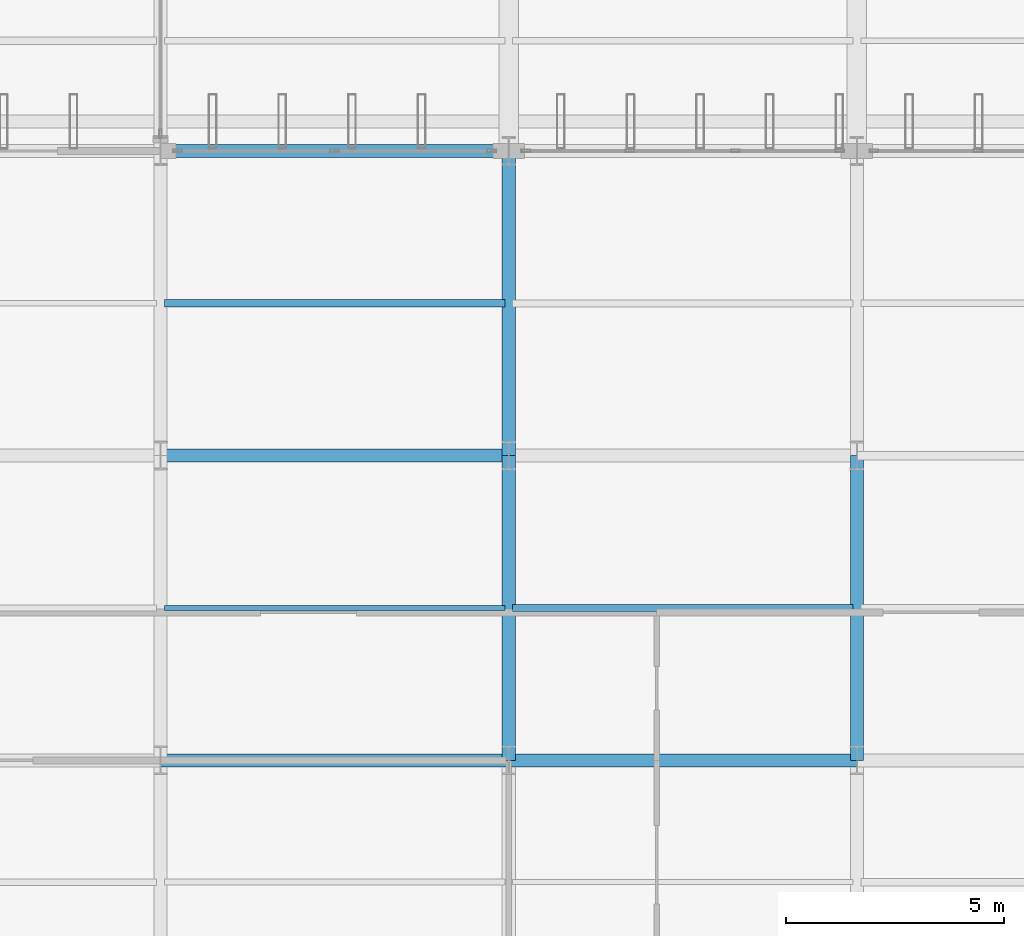
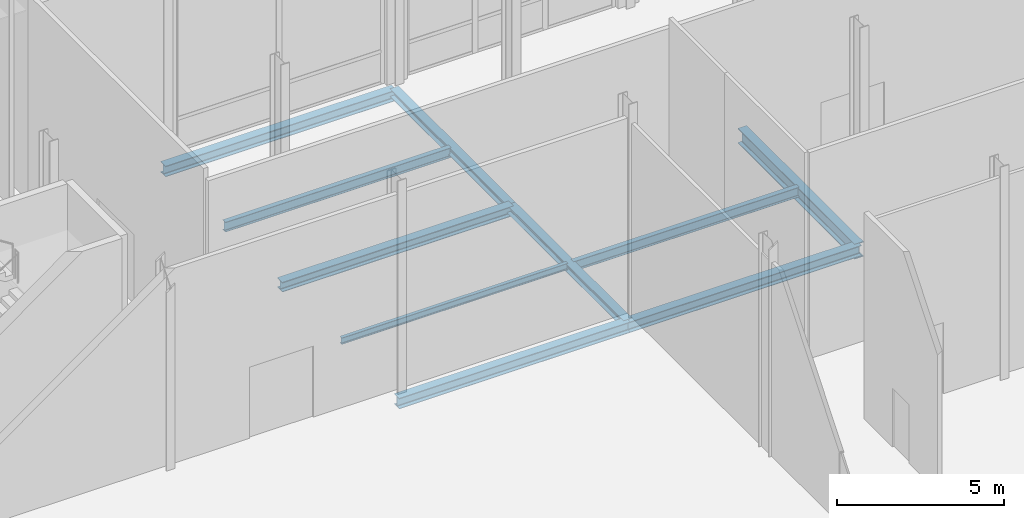
# One storey, part 65 of 176: 10 beams.
"""IFC4 building model written with IfcOpenShell, lengths in metres."""

from ifc_helpers import new_model, si_unit, direction, frame, origin, origin_2d, place, context, subcontext, project, spatial, i_section, extrude, material, material_profile, profile_set, type_object, element, save


model = new_model("IFC4")

# Units and contexts
model_context = context("Model", 3, precision=1e-05, world=origin(), true_north=direction((0.0, 1.0)))
body_context = subcontext(model_context, "Body", "Model", "MODEL_VIEW")
ifc_project = project(units=[si_unit("LENGTHUNIT", "METRE"), si_unit("AREAUNIT", "SQUARE_METRE"), si_unit("VOLUMEUNIT", "CUBIC_METRE"), si_unit("PLANEANGLEUNIT", "RADIAN"), si_unit("MASSUNIT", "GRAM", prefix="KILO")], contexts=[model_context])

# Site, building, storey
site_placement = place(None, origin())
site = spatial("IfcSite", under=ifc_project, at=site_placement, CompositionType="ELEMENT")
building_placement = place(site_placement, origin())
building = spatial("IfcBuilding", under=site, at=building_placement, Name="Vekula Escarpment Museum", CompositionType="ELEMENT")
storey_placement = place(building_placement, origin())
storey = spatial("IfcBuildingStorey", under=building, at=storey_placement, Name="L01", CompositionType="ELEMENT", Elevation=0.0)

# Beams
ifc_material_1 = material(Name="Steel S355", Category="steel")
ifc_material_profile_1 = material_profile(ifc_material_1, i_section(OverallWidth=0.300048828125, OverallDepth=0.360107421875, WebThickness=0.012451171875, FlangeThickness=0.0224609375, FilletRadius=0.027099609375, at=origin_2d()), Name="HEB 360")
ifc_profile_set_1 = profile_set([ifc_material_profile_1], Name="Steel S355")
beam_type_1 = type_object("IfcBeamType", Name="BM-GIRD-HEB360", PredefinedType="BEAM", material=ifc_profile_set_1)
beam_1_placement = place(storey_placement, frame((102.0, 83.39990234375, -0.47998046875), z_axis=(1.0, 0.0, 0.0), x_axis=(0.0, 1.0, 0.0)))
element("IfcBeam", 1, at=beam_1_placement, inside=storey, type_object=beam_type_1, Name="Beam X L01 0242", PredefinedType="BEAM", context=body_context, shape_type="SweptSolid", body=[
    extrude(i_section(OverallWidth=0.300048828125, OverallDepth=0.360107421875, WebThickness=0.012451171875, FlangeThickness=0.0224609375, FilletRadius=0.027099609375, at=origin_2d()), origin(), (0.0, 0.0, 1.0), 8.0),
])
ifc_material_2 = material(Name="Steel S355", Category="steel")
ifc_material_profile_2 = material_profile(ifc_material_2, i_section(OverallWidth=0.300048828125, OverallDepth=0.550048828125, WebThickness=0.014892578125, FlangeThickness=0.029052734375, FilletRadius=0.027099609375, at=origin_2d()), Name="HEB 550")
ifc_profile_set_2 = profile_set([ifc_material_profile_2], Name="Steel S355")
beam_type_2 = type_object("IfcBeamType", Name="BM-GIRD-HEB550", PredefinedType="BEAM", material=ifc_profile_set_2)
beam_2_placement = place(storey_placement, frame((118.0, 76.39990234375, -0.574951171875), z_axis=(0.0, 1.0, 0.0), x_axis=(-1.0, 0.0, 0.0)))
element("IfcBeam", 2, at=beam_2_placement, inside=storey, type_object=beam_type_2, Name="Beam Y L01 0640", PredefinedType="BEAM", context=body_context, shape_type="SweptSolid", body=[
    extrude(i_section(OverallWidth=0.300048828125, OverallDepth=0.550048828125, WebThickness=0.014892578125, FlangeThickness=0.029052734375, FilletRadius=0.027099609375, at=origin_2d()), origin(), (0.0, 0.0, 1.0), 7.0),
])
ifc_material_3 = material(Name="Steel S355", Category="steel")
ifc_material_profile_3 = material_profile(ifc_material_3, i_section(OverallWidth=0.1201171875, OverallDepth=0.239990234375, WebThickness=0.006103515625, FlangeThickness=0.009765625, FilletRadius=0.014892578125, at=origin_2d()), Name="IPE 240")
ifc_profile_set_3 = profile_set([ifc_material_profile_3], Name="Steel S355")
beam_type_3 = type_object("IfcBeamType", Name="BM-JST-IPE240", PredefinedType="JOIST", material=ifc_profile_set_3)
beam_3_placement = place(storey_placement, frame((102.090087890625, 79.89990234375, -0.419921875), z_axis=(1.0, 0.0, 0.0), x_axis=(0.0, 1.0, 0.0)))
element("IfcBeam", 3, at=beam_3_placement, inside=storey, type_object=beam_type_3, Name="Secondary Joist L01 0338", PredefinedType="JOIST", context=body_context, shape_type="SweptSolid", body=[
    extrude(i_section(OverallWidth=0.1201171875, OverallDepth=0.239990234375, WebThickness=0.006103515625, FlangeThickness=0.009765625, FilletRadius=0.014892578125, at=origin_2d()), origin(), (0.0, 0.0, 1.0), 7.81982421875),
])
ifc_material_4 = material(Name="Steel S355", Category="steel")
ifc_material_profile_4 = material_profile(ifc_material_4, i_section(OverallWidth=0.169921875, OverallDepth=0.360107421875, WebThickness=0.008056640625, FlangeThickness=0.0126953125, FilletRadius=0.01806640625, at=origin_2d()), Name="IPE 360")
ifc_profile_set_4 = profile_set([ifc_material_profile_4], Name="Steel S355")
beam_type_4 = type_object("IfcBeamType", Name="BM-JST-IPE360", PredefinedType="JOIST", material=ifc_profile_set_4)
for number, where, z_axis, x_axis, name in (
    (4, (102.090087890625, 86.89990234375, -0.47998046875), (1.0, 0.0, 0.0), (0.0, 1.0, 0.0), "Secondary Joist L01 0339"),
    (5, (110.090087890625, 79.89990234375, -0.47998046875), (1.0, 0.0, 0.0), (0.0, 1.0, 0.0), "Secondary Joist L01 0369"),
):
    element("IfcBeam", number, at=place(storey_placement, frame(where, z_axis=z_axis, x_axis=x_axis)), inside=storey, type_object=beam_type_4, Name=name, PredefinedType="JOIST", context=body_context, shape_type="SweptSolid", body=[
        extrude(i_section(OverallWidth=0.169921875, OverallDepth=0.360107421875, WebThickness=0.008056640625, FlangeThickness=0.0126953125, FilletRadius=0.01806640625, at=origin_2d()), origin(), (0.0, 0.0, 1.0), 7.81982421875),
    ])
ifc_material_5 = material(Name="Steel S355", Category="steel")
ifc_material_profile_5 = material_profile(ifc_material_5, i_section(OverallWidth=0.300048828125, OverallDepth=0.2900390625, WebThickness=0.008544921875, FlangeThickness=0.013916015625, FilletRadius=0.027099609375, at=origin_2d()), Name="HEA 300")
ifc_profile_set_5 = profile_set([ifc_material_profile_5], Name="Steel S355")
beam_type_5 = type_object("IfcBeamType", Name="BM-SPAN-HEA300", PredefinedType="SPANDREL", material=ifc_profile_set_5)
for number, where, z_axis, x_axis, name in (
    (6, (110.0, 76.39990234375, -0.445068359375), (0.0, 1.0, 0.0), (-1.0, 0.0, 0.0), "Beam Y L01 0622"),
    (7, (110.0, 83.39990234375, -0.445068359375), (0.0, 1.0, 0.0), (-1.0, 0.0, 0.0), "Beam Y L01 0623"),
):
    element("IfcBeam", number, at=place(storey_placement, frame(where, z_axis=z_axis, x_axis=x_axis)), inside=storey, type_object=beam_type_5, Name=name, PredefinedType="SPANDREL", context=body_context, shape_type="SweptSolid", body=[
        extrude(i_section(OverallWidth=0.300048828125, OverallDepth=0.2900390625, WebThickness=0.008544921875, FlangeThickness=0.013916015625, FilletRadius=0.027099609375, at=origin_2d()), origin(), (0.0, 0.0, 1.0), 7.0),
    ])
ifc_material_6 = material(Name="Steel S355", Category="steel")
ifc_material_profile_6 = material_profile(ifc_material_6, i_section(OverallWidth=0.300048828125, OverallDepth=0.389892578125, WebThickness=0.010986328125, FlangeThickness=0.01904296875, FilletRadius=0.027099609375, at=origin_2d()), Name="HEA 400")
ifc_profile_set_6 = profile_set([ifc_material_profile_6], Name="Steel S355")
beam_type_6 = type_object("IfcBeamType", Name="BM-SPAN-HEA400", PredefinedType="SPANDREL", material=ifc_profile_set_6)
for number, where, z_axis, x_axis, name in (
    (8, (102.0, 76.39990234375, -0.4951171875), (1.0, 0.0, 0.0), (0.0, 1.0, 0.0), "Beam X L01 0219"),
    (9, (110.0, 76.39990234375, -0.4951171875), (1.0, 0.0, 0.0), (0.0, 1.0, 0.0), "Beam X L01 0220"),
    (10, (102.0, 90.39990234375, -0.4951171875), (1.0, 0.0, 0.0), (0.0, 1.0, 0.0), "Beam X L01 0261"),
):
    element("IfcBeam", number, at=place(storey_placement, frame(where, z_axis=z_axis, x_axis=x_axis)), inside=storey, type_object=beam_type_6, Name=name, PredefinedType="SPANDREL", context=body_context, shape_type="SweptSolid", body=[
        extrude(i_section(OverallWidth=0.300048828125, OverallDepth=0.389892578125, WebThickness=0.010986328125, FlangeThickness=0.01904296875, FilletRadius=0.027099609375, at=origin_2d()), origin(), (0.0, 0.0, 1.0), 8.0),
    ])

save(model, "model.ifc")
